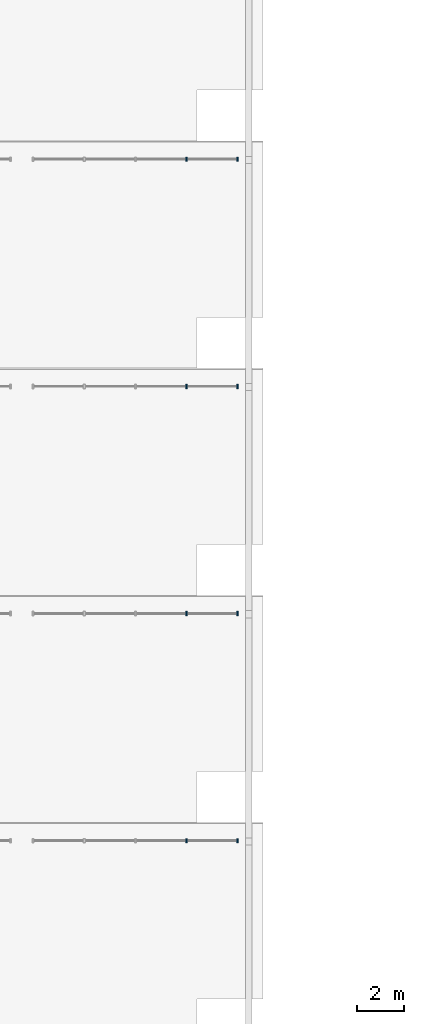
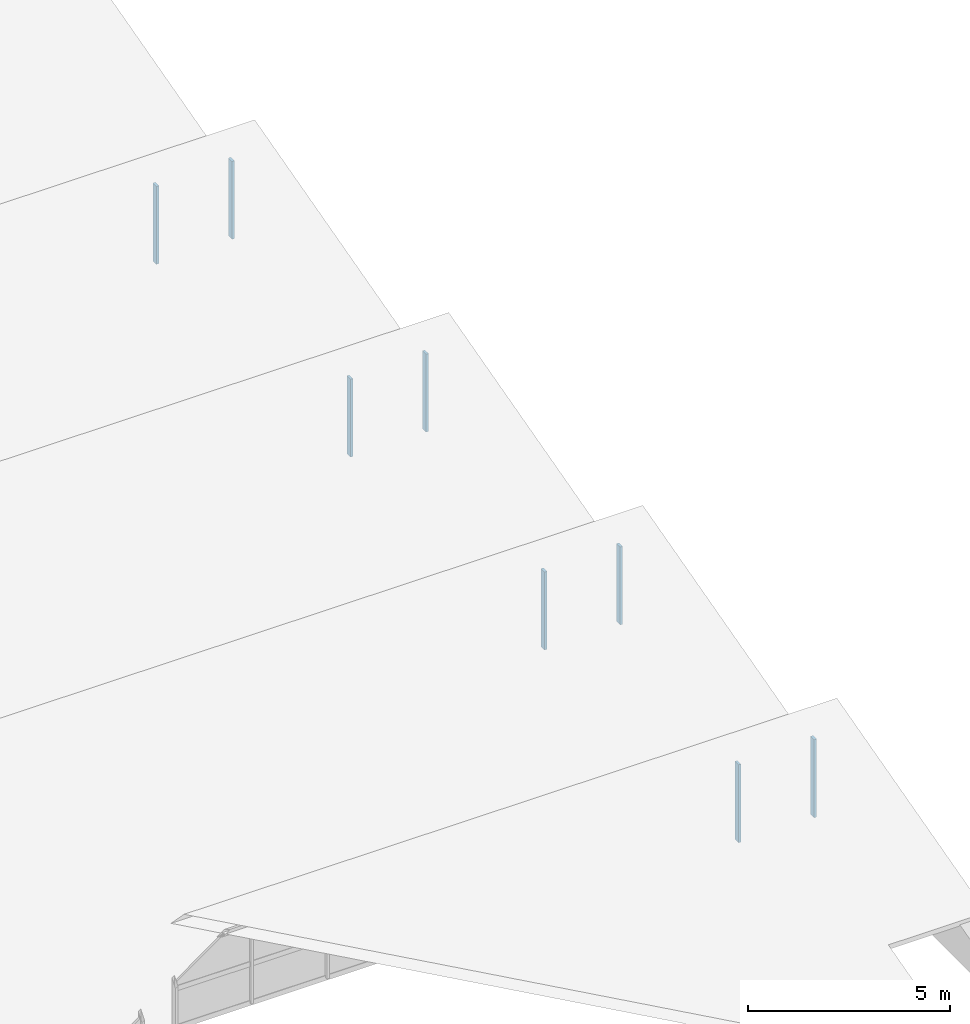
# One storey, part 8 of 18: 8 members, 4 elements without a shape of their own.
"""IFC4 building model written with IfcOpenShell, lengths in metres."""

from ifc_helpers import new_model, si_unit, direction, frame, origin, origin_2d, place, context, subcontext, project, spatial, rectangle, extrude, material, layer, layer_set, material_profile, profile_set, type_object, element, aggregate, save


model = new_model("IFC4")

# Units and contexts
model_context = context("Model", 3, precision=1e-05, world=origin(), true_north=direction((0.0, 1.0)))
body_context = subcontext(model_context, "Body", "Model", "MODEL_VIEW")
ifc_project = project(units=[si_unit("LENGTHUNIT", "METRE"), si_unit("AREAUNIT", "SQUARE_METRE"), si_unit("VOLUMEUNIT", "CUBIC_METRE"), si_unit("PLANEANGLEUNIT", "RADIAN"), si_unit("MASSUNIT", "GRAM", prefix="KILO")], contexts=[model_context])

# Site, building, storey
site_placement = place(None, origin())
site = spatial("IfcSite", under=ifc_project, at=site_placement, CompositionType="ELEMENT")
building_placement = place(site_placement, origin())
building = spatial("IfcBuilding", under=site, at=building_placement, Name="Bempovik Park Faculty of Sciences", CompositionType="ELEMENT")
storey_placement = place(building_placement, frame((0.0, 0.0, 50.10009765625)))
storey = spatial("IfcBuildingStorey", under=building, at=storey_placement, Name="Roof", CompositionType="ELEMENT", Elevation=50.10009765625)

# Curtain wall, members
ifc_material_1 = material(Name="Tempered laminated low-E glass", Category="glass")
ifc_layer = layer(ifc_material_1, 0.159912109375)
ifc_layer_set = layer_set([ifc_layer], Name="Tempered laminated low-E glass")
curtain_wall_type = type_object("IfcCurtainWallType", Name="CW-17 Curtain 7200x2550", PredefinedType="USERDEFINED", material=ifc_layer_set)
curtain_wall_1_placement = place(storey_placement, origin())
curtain_wall_1 = element("IfcCurtainWall", 1, at=curtain_wall_1_placement, inside=storey, type_object=curtain_wall_type, Name="V1 Sawtooth North-Light Clerestory Bay 1 (108.0-117.6)", ObjectType="NORTH LIGHT CLERESTORY", PredefinedType="USERDEFINED")
ifc_material_2 = material(Name="Anodised aluminium", Category="aluminium")
ifc_material_profile = material_profile(ifc_material_2, rectangle(XDim=0.070068359375, YDim=0.179931640625, at=origin_2d()), Name="ALU-M 70x180")
ifc_profile_set = profile_set([ifc_material_profile], Name="Anodised aluminium")
member_type = type_object("IfcMemberType", Name="ML-26 ALU-M 70x180", PredefinedType="MULLION", material=ifc_profile_set)
member_1_placement = place(storey_placement, frame((114.9599609375, 29.280029296875, -30.2001953125), z_axis=(0.0, 0.0, 1.0), x_axis=(1.0, 0.0, 0.0)))
member_1 = element("IfcMember", 2, at=member_1_placement, type_object=member_type, Name="CW-NL-V1-B1-1080 Mullion 3", PredefinedType="MULLION", context=body_context, shape_type="SweptSolid", body=[
    extrude(rectangle(XDim=0.070068359375, YDim=0.179931640625, at=origin_2d()), origin(), (0.0, 0.0, 1.0), 2.352294921875),
])
member_2_placement = place(storey_placement, frame((117.1201171875, 29.280029296875, -30.2001953125), z_axis=(0.0, 0.0, 1.0), x_axis=(1.0, 0.0, 0.0)))
member_2 = element("IfcMember", 3, at=member_2_placement, type_object=member_type, Name="CW-NL-V1-B1-1080 Mullion 4", PredefinedType="MULLION", context=body_context, shape_type="SweptSolid", body=[
    extrude(rectangle(XDim=0.070068359375, YDim=0.179931640625, at=origin_2d()), origin(), (0.0, 0.0, 1.0), 2.352294921875),
])
aggregate(curtain_wall_1, [member_1, member_2])

curtain_wall_2_placement = place(storey_placement, origin())
curtain_wall_2 = element("IfcCurtainWall", 4, at=curtain_wall_2_placement, inside=storey, type_object=curtain_wall_type, Name="V1 Sawtooth North-Light Clerestory Bay 2 (108.0-117.6)", ObjectType="NORTH LIGHT CLERESTORY", PredefinedType="USERDEFINED")
member_3_placement = place(storey_placement, frame((114.9599609375, 38.8798828125, -30.2001953125), z_axis=(0.0, 0.0, 1.0), x_axis=(1.0, 0.0, 0.0)))
member_3 = element("IfcMember", 5, at=member_3_placement, type_object=member_type, Name="CW-NL-V1-B2-1080 Mullion 3", PredefinedType="MULLION", context=body_context, shape_type="SweptSolid", body=[
    extrude(rectangle(XDim=0.070068359375, YDim=0.179931640625, at=origin_2d()), origin(), (0.0, 0.0, 1.0), 2.352294921875),
])
member_4_placement = place(storey_placement, frame((117.1201171875, 38.8798828125, -30.2001953125), z_axis=(0.0, 0.0, 1.0), x_axis=(1.0, 0.0, 0.0)))
member_4 = element("IfcMember", 6, at=member_4_placement, type_object=member_type, Name="CW-NL-V1-B2-1080 Mullion 4", PredefinedType="MULLION", context=body_context, shape_type="SweptSolid", body=[
    extrude(rectangle(XDim=0.070068359375, YDim=0.179931640625, at=origin_2d()), origin(), (0.0, 0.0, 1.0), 2.352294921875),
])
aggregate(curtain_wall_2, [member_3, member_4])

curtain_wall_3_placement = place(storey_placement, origin())
curtain_wall_3 = element("IfcCurtainWall", 7, at=curtain_wall_3_placement, inside=storey, type_object=curtain_wall_type, Name="V1 Sawtooth North-Light Clerestory Bay 3 (108.0-117.6)", ObjectType="NORTH LIGHT CLERESTORY", PredefinedType="USERDEFINED")
member_5_placement = place(storey_placement, frame((114.9599609375, 48.47998046875, -30.2001953125), z_axis=(0.0, 0.0, 1.0), x_axis=(1.0, 0.0, 0.0)))
member_5 = element("IfcMember", 8, at=member_5_placement, type_object=member_type, Name="CW-NL-V1-B3-1080 Mullion 3", PredefinedType="MULLION", context=body_context, shape_type="SweptSolid", body=[
    extrude(rectangle(XDim=0.070068359375, YDim=0.179931640625, at=origin_2d()), origin(), (0.0, 0.0, 1.0), 2.352294921875),
])
member_6_placement = place(storey_placement, frame((117.1201171875, 48.47998046875, -30.2001953125), z_axis=(0.0, 0.0, 1.0), x_axis=(1.0, 0.0, 0.0)))
member_6 = element("IfcMember", 9, at=member_6_placement, type_object=member_type, Name="CW-NL-V1-B3-1080 Mullion 4", PredefinedType="MULLION", context=body_context, shape_type="SweptSolid", body=[
    extrude(rectangle(XDim=0.070068359375, YDim=0.179931640625, at=origin_2d()), origin(), (0.0, 0.0, 1.0), 2.352294921875),
])
aggregate(curtain_wall_3, [member_5, member_6])

curtain_wall_4_placement = place(storey_placement, origin())
curtain_wall_4 = element("IfcCurtainWall", 10, at=curtain_wall_4_placement, inside=storey, type_object=curtain_wall_type, Name="V1 Sawtooth North-Light Clerestory Bay 4 (108.0-117.6)", ObjectType="NORTH LIGHT CLERESTORY", PredefinedType="USERDEFINED")
member_7_placement = place(storey_placement, frame((114.9599609375, 58.080078125, -30.2001953125), z_axis=(0.0, 0.0, 1.0), x_axis=(1.0, 0.0, 0.0)))
member_7 = element("IfcMember", 11, at=member_7_placement, type_object=member_type, Name="CW-NL-V1-B4-1080 Mullion 3", PredefinedType="MULLION", context=body_context, shape_type="SweptSolid", body=[
    extrude(rectangle(XDim=0.070068359375, YDim=0.179931640625, at=origin_2d()), origin(), (0.0, 0.0, 1.0), 2.352294921875),
])
member_8_placement = place(storey_placement, frame((117.1201171875, 58.080078125, -30.2001953125), z_axis=(0.0, 0.0, 1.0), x_axis=(1.0, 0.0, 0.0)))
member_8 = element("IfcMember", 12, at=member_8_placement, type_object=member_type, Name="CW-NL-V1-B4-1080 Mullion 4", PredefinedType="MULLION", context=body_context, shape_type="SweptSolid", body=[
    extrude(rectangle(XDim=0.070068359375, YDim=0.179931640625, at=origin_2d()), origin(), (0.0, 0.0, 1.0), 2.352294921875),
])
aggregate(curtain_wall_4, [member_7, member_8])

save(model, "model.ifc")
